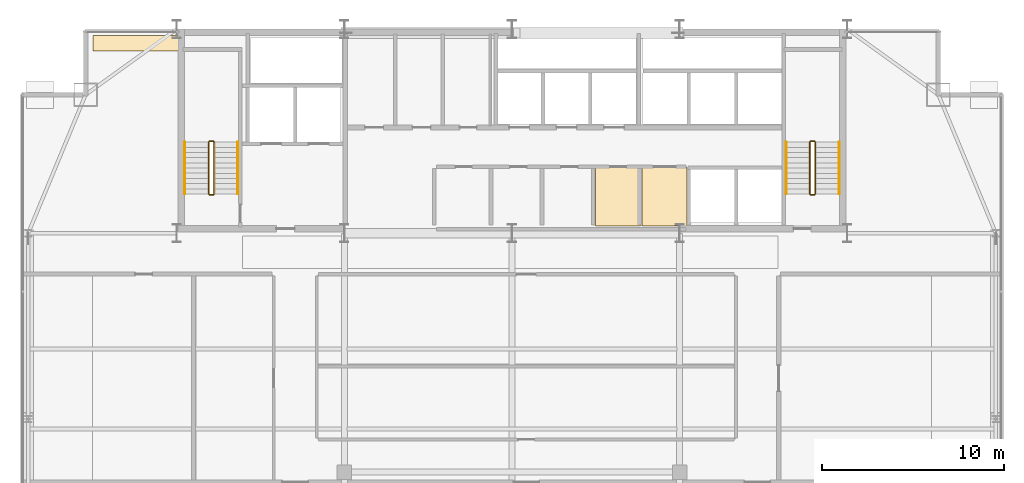
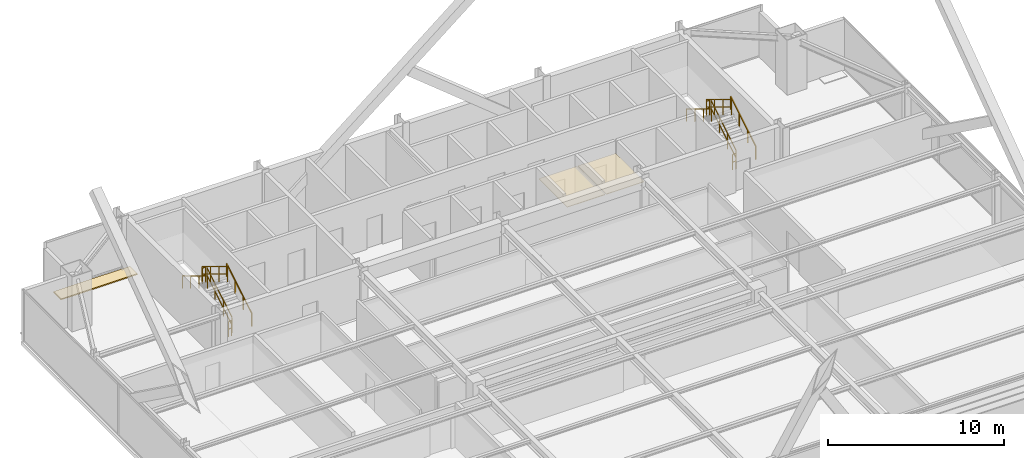
# One storey, part 33 of 33: 12 railings, 3 coverings.
"""IFC4 building model written with IfcOpenShell, lengths in metres."""

from ifc_helpers import new_model, si_unit, direction, frame, origin, origin_2d, place, context, subcontext, project, spatial, polyline, rectangle, outline, extrude, material, layer, layer_set, type_object, element, save


model = new_model("IFC4")

# Units and contexts
model_context = context("Model", 3, precision=1e-05, world=origin(), true_north=direction((0.0, 1.0)))
body_context = subcontext(model_context, "Body", "Model", "MODEL_VIEW")
ifc_project = project(units=[si_unit("LENGTHUNIT", "METRE"), si_unit("AREAUNIT", "SQUARE_METRE"), si_unit("VOLUMEUNIT", "CUBIC_METRE"), si_unit("PLANEANGLEUNIT", "RADIAN"), si_unit("MASSUNIT", "GRAM", prefix="KILO")], contexts=[model_context])

# Site, building, storey
site_placement = place(None, origin())
site = spatial("IfcSite", under=ifc_project, at=site_placement, CompositionType="ELEMENT")
building_placement = place(site_placement, origin())
building = spatial("IfcBuilding", under=site, at=building_placement, Name="Varnel Quay Broadcast Tower", CompositionType="ELEMENT")
storey_placement = place(building_placement, frame((0.0, 0.0, 145.800048828125)))
storey = spatial("IfcBuildingStorey", under=building, at=storey_placement, Name="L35", CompositionType="ELEMENT", Elevation=145.800048828125)

# Coverings
ifc_material_1 = material(Name="Micro-Perforated Acoustic Ceiling Tile")
ifc_layer_1 = layer(ifc_material_1, 0.0400390625, Name="Micro-Perforated Acoustic Ceiling Tile")
ifc_layer_set_1 = layer_set([ifc_layer_1], Name="Micro-Perforated Acoustic Ceiling Tile")
covering_type_1 = type_object("IfcCoveringType", Name="Cov_AcousticCeiling", PredefinedType="CEILING", material=ifc_layer_set_1)
covering_1_placement = place(storey_placement, frame((0.0, 0.0, 2.579833984375)))
element("IfcCovering", 1, at=covering_1_placement, inside=storey, type_object=covering_type_1, Name="L35 Cleaners' & Linen Store Acoustic Ceiling", PredefinedType="CEILING", context=body_context, shape_type="SweptSolid", body=[
    extrude(outline(polyline([(38.5849609375, 35.985107421875), (41.06494140625, 35.985107421875), (41.06494140625, 39.215087890625), (38.5849609375, 39.215087890625), (38.5849609375, 35.985107421875)])), origin(), (0.0, 0.0, 1.0), 0.0400390625),
])
covering_2_placement = place(storey_placement, frame((0.0, 0.0, 2.579833984375)))
element("IfcCovering", 2, at=covering_2_placement, inside=storey, type_object=covering_type_1, Name="L35 Telecom IDF Closet Acoustic Ceiling", PredefinedType="CEILING", context=body_context, shape_type="SweptSolid", body=[
    extrude(outline(polyline([(41.135009765625, 35.985107421875), (43.614990234375, 35.985107421875), (43.614990234375, 39.215087890625), (41.135009765625, 39.215087890625), (41.135009765625, 35.985107421875)])), origin(), (0.0, 0.0, 1.0), 0.0400390625),
])
ifc_material_2 = material(Name="Insulated SBS Modified Bitumen Roof Membrane")
ifc_layer_2 = layer(ifc_material_2, 0.080078125, Name="Insulated SBS Modified Bitumen Roof Membrane")
ifc_layer_set_2 = layer_set([ifc_layer_2], Name="Insulated SBS Modified Bitumen Roof Membrane")
covering_type_2 = type_object("IfcCoveringType", Name="Cov_RoofMembrane", PredefinedType="ROOFING", material=ifc_layer_set_2)
covering_3_placement = place(storey_placement, origin())
element("IfcCovering", 3, at=covering_3_placement, inside=storey, type_object=covering_type_2, Name="L35 North Curb Flashing Membrane", PredefinedType="ROOFING", context=body_context, shape_type="SweptSolid", body=[
    extrude(outline(polyline([(11.0, 45.60009765625), (16.0, 45.60009765625), (16.0, 46.449951171875), (11.0, 46.449951171875), (11.0, 45.60009765625)])), origin(), (0.0, 0.0, 1.0), 0.079833984375),
])

# Railings
ifc_material_3 = material(Name="Painted Steel Guard and Handrail CSA G40.21 350W", Category="steel")
railing_type_1 = type_object("IfcRailingType", Name="Rail_StairGuard1100", PredefinedType="GUARDRAIL", material=ifc_material_3)
railing_1_placement = place(storey_placement, frame((17.64990234375, 37.75, 0.172607421875)))
element("IfcRailing", 4, at=railing_1_placement, inside=storey, type_object=railing_type_1, Name="L35 ST-01 stair guard 1", PredefinedType="GUARDRAIL", context=body_context, shape_type="SweptSolid", body=[
    extrude(rectangle(XDim=0.048095703125, YDim=0.048095703125, at=origin_2d()), frame((0.0, 0.0, 1.076171875), z_axis=(0.0, 0.855202751398, 0.518293598264), x_axis=(-1.0, 0.0, 0.0)), (0.0, 0.0, 1.0), 3.332763671875),
    extrude(rectangle(XDim=0.048095703125, YDim=0.048095703125, at=origin_2d()), frame((0.0, 0.0, 0.550048828125), z_axis=(0.0, 0.855202751398, 0.518293598264), x_axis=(-1.0, 0.0, 0.0)), (0.0, 0.0, 1.0), 3.332763671875),
    extrude(rectangle(XDim=0.0419921875, YDim=0.0419921875, at=origin_2d()), origin(), (0.0, 0.0, 1.0), 1.052001953125),
    extrude(rectangle(XDim=0.0419921875, YDim=0.0419921875, at=origin_2d()), frame((0.0, 0.949951171875, 0.57568359375)), (0.0, 0.0, 1.0), 1.052001953125),
    extrude(rectangle(XDim=0.0419921875, YDim=0.0419921875, at=origin_2d()), frame((0.0, 1.900146484375, 1.151611328125)), (0.0, 0.0, 1.0), 1.052001953125),
    extrude(rectangle(XDim=0.0419921875, YDim=0.0419921875, at=origin_2d()), frame((0.0, 2.85009765625, 1.727294921875)), (0.0, 0.0, 1.0), 1.052001953125),
])
railing_2_placement = place(storey_placement, frame((17.60009765625, 40.64990234375, 1.89990234375)))
element("IfcRailing", 5, at=railing_2_placement, inside=storey, type_object=railing_type_1, Name="L35 ST-01 stair guard 2", PredefinedType="GUARDRAIL", context=body_context, shape_type="SweptSolid", body=[
    extrude(rectangle(XDim=0.048095703125, YDim=0.048095703125, at=origin_2d()), frame((0.0, 0.0, 1.076171875), z_axis=(-1.0, 0.0, 0.0), x_axis=(0.0, -1.0, 0.0)), (0.0, 0.0, 1.0), 0.2001953125),
    extrude(rectangle(XDim=0.048095703125, YDim=0.048095703125, at=origin_2d()), frame((0.0, 0.0, 0.550048828125), z_axis=(-1.0, 0.0, 0.0), x_axis=(0.0, -1.0, 0.0)), (0.0, 0.0, 1.0), 0.2001953125),
    extrude(rectangle(XDim=0.0419921875, YDim=0.0419921875, at=origin_2d()), origin(), (0.0, 0.0, 1.0), 1.052001953125),
    extrude(rectangle(XDim=0.0419921875, YDim=0.0419921875, at=origin_2d()), frame((-0.2001953125, 0.0, 0.0)), (0.0, 0.0, 1.0), 1.052001953125),
])
railing_3_placement = place(storey_placement, frame((17.35009765625, 40.60009765625, 2.07275390625)))
element("IfcRailing", 6, at=railing_3_placement, inside=storey, type_object=railing_type_1, Name="L35 ST-01 stair guard 3", PredefinedType="GUARDRAIL", context=body_context, shape_type="SweptSolid", body=[
    extrude(rectangle(XDim=0.048095703125, YDim=0.048095703125, at=origin_2d()), frame((0.0, 0.0, 1.076171875), z_axis=(0.0, -0.855202751398, 0.518293598264), x_axis=(1.0, 0.0, 0.0)), (0.0, 0.0, 1.0), 3.332763671875),
    extrude(rectangle(XDim=0.048095703125, YDim=0.048095703125, at=origin_2d()), frame((0.0, 0.0, 0.550048828125), z_axis=(0.0, -0.855202751398, 0.518293598264), x_axis=(1.0, 0.0, 0.0)), (0.0, 0.0, 1.0), 3.332763671875),
    extrude(rectangle(XDim=0.0419921875, YDim=0.0419921875, at=origin_2d()), origin(), (0.0, 0.0, 1.0), 1.052001953125),
    extrude(rectangle(XDim=0.0419921875, YDim=0.0419921875, at=origin_2d()), frame((0.0, -0.949951171875, 0.57568359375)), (0.0, 0.0, 1.0), 1.052001953125),
    extrude(rectangle(XDim=0.0419921875, YDim=0.0419921875, at=origin_2d()), frame((0.0, -1.900146484375, 1.151611328125)), (0.0, 0.0, 1.0), 1.052001953125),
    extrude(rectangle(XDim=0.0419921875, YDim=0.0419921875, at=origin_2d()), frame((0.0, -2.85009765625, 1.727294921875)), (0.0, 0.0, 1.0), 1.052001953125),
])
railing_4_placement = place(storey_placement, frame((17.60009765625, 37.699951171875, 0.0)))
element("IfcRailing", 7, at=railing_4_placement, inside=storey, type_object=railing_type_1, Name="L35 ST-01 stair guard 4", PredefinedType="GUARDRAIL", context=body_context, shape_type="SweptSolid", body=[
    extrude(rectangle(XDim=0.048095703125, YDim=0.048095703125, at=origin_2d()), frame((0.0, 0.0, 1.076171875), z_axis=(-1.0, 0.0, 0.0), x_axis=(0.0, -1.0, 0.0)), (0.0, 0.0, 1.0), 0.2001953125),
    extrude(rectangle(XDim=0.048095703125, YDim=0.048095703125, at=origin_2d()), frame((0.0, 0.0, 0.550048828125), z_axis=(-1.0, 0.0, 0.0), x_axis=(0.0, -1.0, 0.0)), (0.0, 0.0, 1.0), 0.2001953125),
    extrude(rectangle(XDim=0.0419921875, YDim=0.0419921875, at=origin_2d()), origin(), (0.0, 0.0, 1.0), 1.052001953125),
    extrude(rectangle(XDim=0.0419921875, YDim=0.0419921875, at=origin_2d()), frame((-0.2001953125, 0.0, 0.0)), (0.0, 0.0, 1.0), 1.052001953125),
])
railing_5_placement = place(storey_placement, frame((50.64990234375, 37.75, 0.172607421875)))
element("IfcRailing", 8, at=railing_5_placement, inside=storey, type_object=railing_type_1, Name="L35 ST-02 stair guard 1", PredefinedType="GUARDRAIL", context=body_context, shape_type="SweptSolid", body=[
    extrude(rectangle(XDim=0.048095703125, YDim=0.048095703125, at=origin_2d()), frame((0.0, 0.0, 1.076171875), z_axis=(0.0, 0.855202751398, 0.518293598264), x_axis=(-1.0, 0.0, 0.0)), (0.0, 0.0, 1.0), 3.332763671875),
    extrude(rectangle(XDim=0.048095703125, YDim=0.048095703125, at=origin_2d()), frame((0.0, 0.0, 0.550048828125), z_axis=(0.0, 0.855202751398, 0.518293598264), x_axis=(-1.0, 0.0, 0.0)), (0.0, 0.0, 1.0), 3.332763671875),
    extrude(rectangle(XDim=0.0419921875, YDim=0.0419921875, at=origin_2d()), origin(), (0.0, 0.0, 1.0), 1.052001953125),
    extrude(rectangle(XDim=0.0419921875, YDim=0.0419921875, at=origin_2d()), frame((0.0, 0.949951171875, 0.57568359375)), (0.0, 0.0, 1.0), 1.052001953125),
    extrude(rectangle(XDim=0.0419921875, YDim=0.0419921875, at=origin_2d()), frame((0.0, 1.900146484375, 1.151611328125)), (0.0, 0.0, 1.0), 1.052001953125),
    extrude(rectangle(XDim=0.0419921875, YDim=0.0419921875, at=origin_2d()), frame((0.0, 2.85009765625, 1.727294921875)), (0.0, 0.0, 1.0), 1.052001953125),
])
railing_6_placement = place(storey_placement, frame((50.60009765625, 40.64990234375, 1.89990234375)))
element("IfcRailing", 9, at=railing_6_placement, inside=storey, type_object=railing_type_1, Name="L35 ST-02 stair guard 2", PredefinedType="GUARDRAIL", context=body_context, shape_type="SweptSolid", body=[
    extrude(rectangle(XDim=0.048095703125, YDim=0.048095703125, at=origin_2d()), frame((0.0, 0.0, 1.076171875), z_axis=(-1.0, 0.0, 0.0), x_axis=(0.0, -1.0, 0.0)), (0.0, 0.0, 1.0), 0.2001953125),
    extrude(rectangle(XDim=0.048095703125, YDim=0.048095703125, at=origin_2d()), frame((0.0, 0.0, 0.550048828125), z_axis=(-1.0, 0.0, 0.0), x_axis=(0.0, -1.0, 0.0)), (0.0, 0.0, 1.0), 0.2001953125),
    extrude(rectangle(XDim=0.0419921875, YDim=0.0419921875, at=origin_2d()), origin(), (0.0, 0.0, 1.0), 1.052001953125),
    extrude(rectangle(XDim=0.0419921875, YDim=0.0419921875, at=origin_2d()), frame((-0.2001953125, 0.0, 0.0)), (0.0, 0.0, 1.0), 1.052001953125),
])
railing_7_placement = place(storey_placement, frame((50.35009765625, 40.60009765625, 2.07275390625)))
element("IfcRailing", 10, at=railing_7_placement, inside=storey, type_object=railing_type_1, Name="L35 ST-02 stair guard 3", PredefinedType="GUARDRAIL", context=body_context, shape_type="SweptSolid", body=[
    extrude(rectangle(XDim=0.048095703125, YDim=0.048095703125, at=origin_2d()), frame((0.0, 0.0, 1.076171875), z_axis=(0.0, -0.855202751398, 0.518293598264), x_axis=(1.0, 0.0, 0.0)), (0.0, 0.0, 1.0), 3.332763671875),
    extrude(rectangle(XDim=0.048095703125, YDim=0.048095703125, at=origin_2d()), frame((0.0, 0.0, 0.550048828125), z_axis=(0.0, -0.855202751398, 0.518293598264), x_axis=(1.0, 0.0, 0.0)), (0.0, 0.0, 1.0), 3.332763671875),
    extrude(rectangle(XDim=0.0419921875, YDim=0.0419921875, at=origin_2d()), origin(), (0.0, 0.0, 1.0), 1.052001953125),
    extrude(rectangle(XDim=0.0419921875, YDim=0.0419921875, at=origin_2d()), frame((0.0, -0.949951171875, 0.57568359375)), (0.0, 0.0, 1.0), 1.052001953125),
    extrude(rectangle(XDim=0.0419921875, YDim=0.0419921875, at=origin_2d()), frame((0.0, -1.900146484375, 1.151611328125)), (0.0, 0.0, 1.0), 1.052001953125),
    extrude(rectangle(XDim=0.0419921875, YDim=0.0419921875, at=origin_2d()), frame((0.0, -2.85009765625, 1.727294921875)), (0.0, 0.0, 1.0), 1.052001953125),
])
railing_8_placement = place(storey_placement, frame((50.60009765625, 37.699951171875, 0.0)))
element("IfcRailing", 11, at=railing_8_placement, inside=storey, type_object=railing_type_1, Name="L35 ST-02 stair guard 4", PredefinedType="GUARDRAIL", context=body_context, shape_type="SweptSolid", body=[
    extrude(rectangle(XDim=0.048095703125, YDim=0.048095703125, at=origin_2d()), frame((0.0, 0.0, 1.076171875), z_axis=(-1.0, 0.0, 0.0), x_axis=(0.0, -1.0, 0.0)), (0.0, 0.0, 1.0), 0.2001953125),
    extrude(rectangle(XDim=0.048095703125, YDim=0.048095703125, at=origin_2d()), frame((0.0, 0.0, 0.550048828125), z_axis=(-1.0, 0.0, 0.0), x_axis=(0.0, -1.0, 0.0)), (0.0, 0.0, 1.0), 0.2001953125),
    extrude(rectangle(XDim=0.0419921875, YDim=0.0419921875, at=origin_2d()), origin(), (0.0, 0.0, 1.0), 1.052001953125),
    extrude(rectangle(XDim=0.0419921875, YDim=0.0419921875, at=origin_2d()), frame((-0.2001953125, 0.0, 0.0)), (0.0, 0.0, 1.0), 1.052001953125),
])
railing_type_2 = type_object("IfcRailingType", Name="Rail_StairHandrail900", PredefinedType="HANDRAIL", material=ifc_material_3)
railing_9_placement = place(storey_placement, frame((18.949951171875, 37.75, 0.172607421875)))
element("IfcRailing", 12, at=railing_9_placement, inside=storey, type_object=railing_type_2, Name="L35 ST-01 stair handrail 1", PredefinedType="HANDRAIL", context=body_context, shape_type="SweptSolid", body=[
    extrude(rectangle(XDim=0.048095703125, YDim=0.048095703125, at=origin_2d()), frame((0.0, 0.0, 0.8759765625), z_axis=(0.0, 0.855202751398, 0.518293598264), x_axis=(-1.0, 0.0, 0.0)), (0.0, 0.0, 1.0), 3.332763671875),
    extrude(rectangle(XDim=0.0419921875, YDim=0.0419921875, at=origin_2d()), origin(), (0.0, 0.0, 1.0), 0.851806640625),
    extrude(rectangle(XDim=0.0419921875, YDim=0.0419921875, at=origin_2d()), frame((0.0, 0.949951171875, 0.57568359375)), (0.0, 0.0, 1.0), 0.851806640625),
    extrude(rectangle(XDim=0.0419921875, YDim=0.0419921875, at=origin_2d()), frame((0.0, 1.900146484375, 1.151611328125)), (0.0, 0.0, 1.0), 0.851806640625),
    extrude(rectangle(XDim=0.0419921875, YDim=0.0419921875, at=origin_2d()), frame((0.0, 2.85009765625, 1.727294921875)), (0.0, 0.0, 1.0), 0.851806640625),
])
railing_10_placement = place(storey_placement, frame((16.050048828125, 40.60009765625, 2.07275390625)))
element("IfcRailing", 13, at=railing_10_placement, inside=storey, type_object=railing_type_2, Name="L35 ST-01 stair handrail 2", PredefinedType="HANDRAIL", context=body_context, shape_type="SweptSolid", body=[
    extrude(rectangle(XDim=0.048095703125, YDim=0.048095703125, at=origin_2d()), frame((0.0, 0.0, 0.8759765625), z_axis=(0.0, -0.855202751398, 0.518293598264), x_axis=(1.0, 0.0, 0.0)), (0.0, 0.0, 1.0), 3.332763671875),
    extrude(rectangle(XDim=0.0419921875, YDim=0.0419921875, at=origin_2d()), origin(), (0.0, 0.0, 1.0), 0.851806640625),
    extrude(rectangle(XDim=0.0419921875, YDim=0.0419921875, at=origin_2d()), frame((0.0, -0.949951171875, 0.57568359375)), (0.0, 0.0, 1.0), 0.851806640625),
    extrude(rectangle(XDim=0.0419921875, YDim=0.0419921875, at=origin_2d()), frame((0.0, -1.900146484375, 1.151611328125)), (0.0, 0.0, 1.0), 0.851806640625),
    extrude(rectangle(XDim=0.0419921875, YDim=0.0419921875, at=origin_2d()), frame((0.0, -2.85009765625, 1.727294921875)), (0.0, 0.0, 1.0), 0.851806640625),
])
railing_11_placement = place(storey_placement, frame((51.949951171875, 37.75, 0.172607421875)))
element("IfcRailing", 14, at=railing_11_placement, inside=storey, type_object=railing_type_2, Name="L35 ST-02 stair handrail 1", PredefinedType="HANDRAIL", context=body_context, shape_type="SweptSolid", body=[
    extrude(rectangle(XDim=0.048095703125, YDim=0.048095703125, at=origin_2d()), frame((0.0, 0.0, 0.8759765625), z_axis=(0.0, 0.855202751398, 0.518293598264), x_axis=(-1.0, 0.0, 0.0)), (0.0, 0.0, 1.0), 3.332763671875),
    extrude(rectangle(XDim=0.0419921875, YDim=0.0419921875, at=origin_2d()), origin(), (0.0, 0.0, 1.0), 0.851806640625),
    extrude(rectangle(XDim=0.0419921875, YDim=0.0419921875, at=origin_2d()), frame((0.0, 0.949951171875, 0.57568359375)), (0.0, 0.0, 1.0), 0.851806640625),
    extrude(rectangle(XDim=0.0419921875, YDim=0.0419921875, at=origin_2d()), frame((0.0, 1.900146484375, 1.151611328125)), (0.0, 0.0, 1.0), 0.851806640625),
    extrude(rectangle(XDim=0.0419921875, YDim=0.0419921875, at=origin_2d()), frame((0.0, 2.85009765625, 1.727294921875)), (0.0, 0.0, 1.0), 0.851806640625),
])
railing_12_placement = place(storey_placement, frame((49.050048828125, 40.60009765625, 2.07275390625)))
element("IfcRailing", 15, at=railing_12_placement, inside=storey, type_object=railing_type_2, Name="L35 ST-02 stair handrail 2", PredefinedType="HANDRAIL", context=body_context, shape_type="SweptSolid", body=[
    extrude(rectangle(XDim=0.048095703125, YDim=0.048095703125, at=origin_2d()), frame((0.0, 0.0, 0.8759765625), z_axis=(0.0, -0.855202751398, 0.518293598264), x_axis=(1.0, 0.0, 0.0)), (0.0, 0.0, 1.0), 3.332763671875),
    extrude(rectangle(XDim=0.0419921875, YDim=0.0419921875, at=origin_2d()), origin(), (0.0, 0.0, 1.0), 0.851806640625),
    extrude(rectangle(XDim=0.0419921875, YDim=0.0419921875, at=origin_2d()), frame((0.0, -0.949951171875, 0.57568359375)), (0.0, 0.0, 1.0), 0.851806640625),
    extrude(rectangle(XDim=0.0419921875, YDim=0.0419921875, at=origin_2d()), frame((0.0, -1.900146484375, 1.151611328125)), (0.0, 0.0, 1.0), 0.851806640625),
    extrude(rectangle(XDim=0.0419921875, YDim=0.0419921875, at=origin_2d()), frame((0.0, -2.85009765625, 1.727294921875)), (0.0, 0.0, 1.0), 0.851806640625),
])

save(model, "model.ifc")
